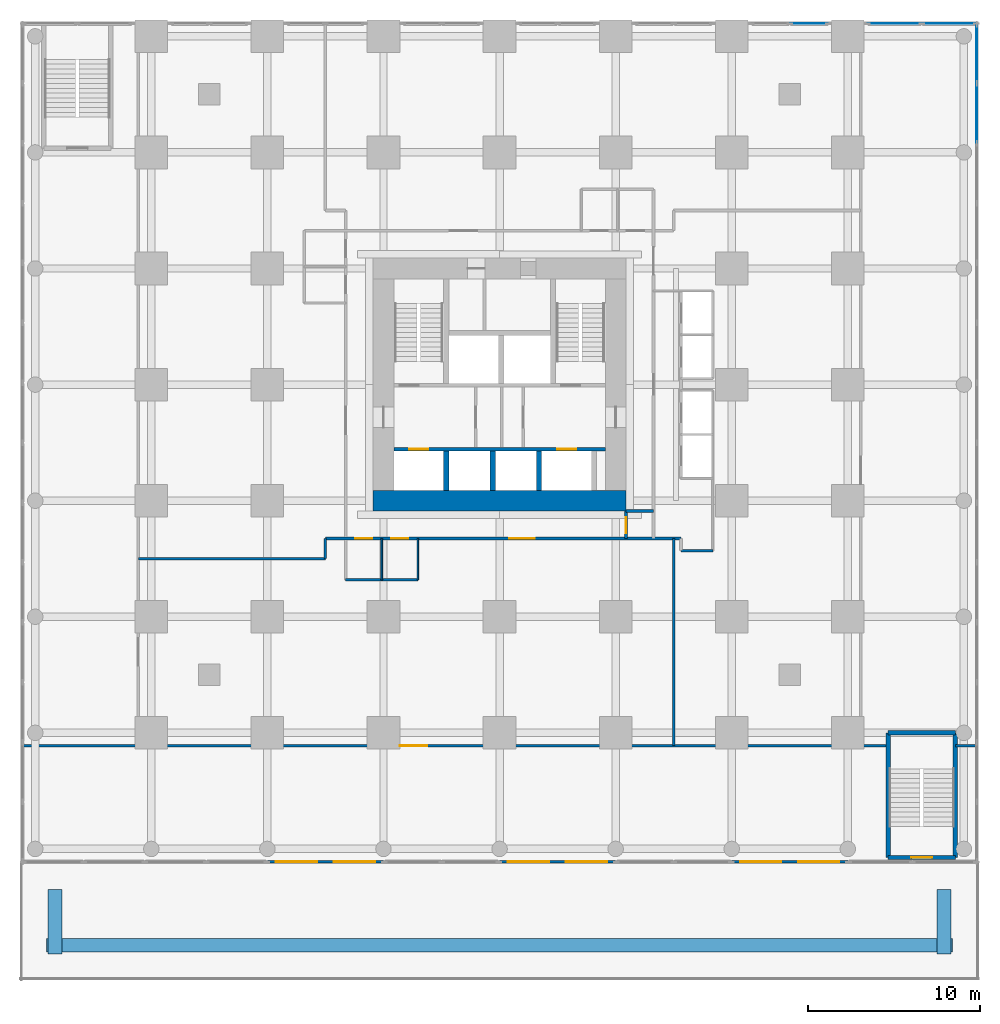
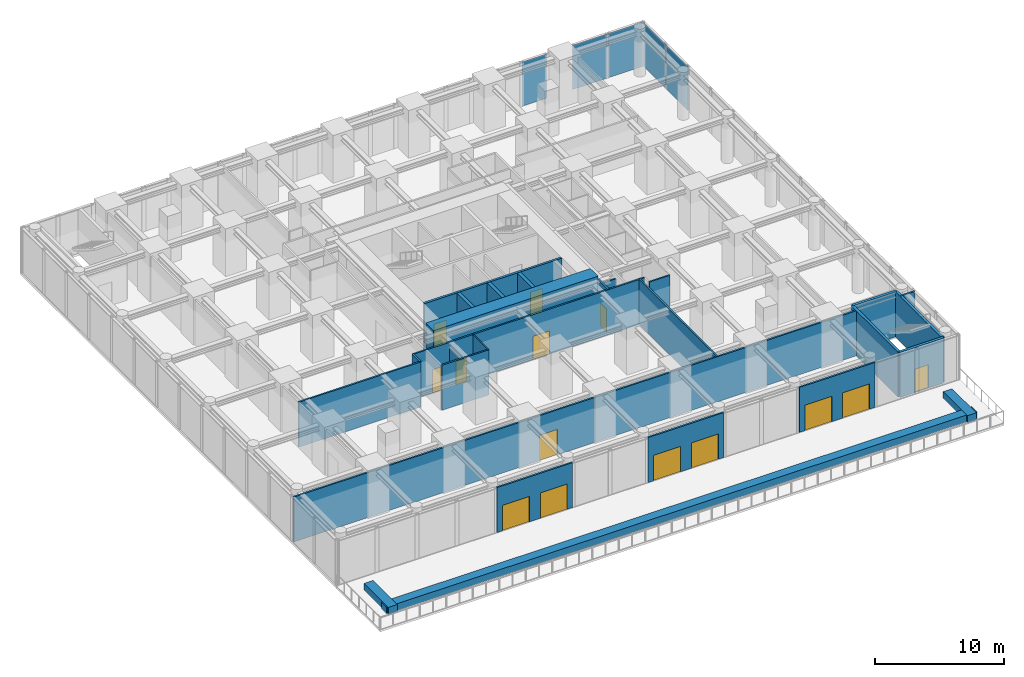
# One storey, part 7 of 10: 27 walls, 14 doors, 5 plates, 14 openings, 3 elements without a shape of their own.
"""IFC4 building model written with IfcOpenShell, lengths in metres."""

from ifc_helpers import new_model, si_unit, direction, frame, frame_2d, origin, origin_2d, place, context, subcontext, project, spatial, rectangle, extrude, material, layer, layer_set, type_object, element, fill, aggregate, save


model = new_model("IFC4")

# Units and contexts
model_context = context("Model", 3, precision=1e-05, world=origin(), true_north=direction((0.0, 1.0)))
body_context = subcontext(model_context, "Body", "Model", "MODEL_VIEW")
ifc_project = project(units=[si_unit("LENGTHUNIT", "METRE"), si_unit("AREAUNIT", "SQUARE_METRE"), si_unit("VOLUMEUNIT", "CUBIC_METRE"), si_unit("PLANEANGLEUNIT", "RADIAN"), si_unit("MASSUNIT", "GRAM", prefix="KILO")], contexts=[model_context])

# Site, building, storey
site_placement = place(None, origin())
site = spatial("IfcSite", under=ifc_project, at=site_placement, CompositionType="ELEMENT")
building_placement = place(site_placement, origin())
building = spatial("IfcBuilding", under=site, at=building_placement, Name="Nyansa Garden Tower", CompositionType="ELEMENT")
storey_placement = place(building_placement, frame((0.0, 0.0, 9.0)))
storey = spatial("IfcBuildingStorey", under=building, at=storey_placement, Name="L02", CompositionType="ELEMENT", Elevation=9.0)

# Curtain wall, plates
ifc_material_1 = material(Name="Black anodised aluminium, clear double glazing", Category="aluminium")
curtain_wall_type = type_object("IfcCurtainWallType", Name="Podium curtain wall PCW", PredefinedType="USERDEFINED", material=ifc_material_1)
curtain_wall_1_placement = place(storey_placement, origin())
curtain_wall_1 = element("IfcCurtainWall", 1, at=curtain_wall_1_placement, inside=storey, type_object=curtain_wall_type, Name="Podium curtain wall L02 E", ObjectType="STICK CURTAIN WALL", PredefinedType="USERDEFINED")
ifc_material_2 = material(Name="Clear laminated double glazing", Category="glass")
ifc_layer_1 = layer(ifc_material_2, 0.0380859375)
ifc_layer_set_1 = layer_set([ifc_layer_1], Name="Podium vision panel VP-P")
plate_type = type_object("IfcPlateType", Name="Podium vision panel VP-P", PredefinedType="CURTAIN_PANEL", material=ifc_layer_set_1)
plate_1_placement = place(storey_placement, frame((48.0, 36.02685546875, 0.0), z_axis=(0.0, 0.0, 1.0), x_axis=(0.0, 1.0, 0.0)))
plate_1 = element("IfcPlate", 2, at=plate_1_placement, type_object=plate_type, Name="PCW panel 13", PredefinedType="CURTAIN_PANEL", context=body_context, shape_type="SweptSolid", body=[
    extrude(rectangle(XDim=3.402099609375, YDim=0.0380859375, at=origin_2d()), origin(), (0.0, 0.0, 1.0), 4.169921875),
])
plate_2_placement = place(storey_placement, frame((48.0, 39.489013671875, 0.0), z_axis=(0.0, 0.0, 1.0), x_axis=(0.0, 1.0, 0.0)))
plate_2 = element("IfcPlate", 3, at=plate_2_placement, type_object=plate_type, Name="PCW panel 14", PredefinedType="CURTAIN_PANEL", context=body_context, shape_type="SweptSolid", body=[
    extrude(rectangle(XDim=3.362060546875, YDim=0.0380859375, at=origin_2d()), origin(), (0.0, 0.0, 1.0), 4.169921875),
])
aggregate(curtain_wall_1, [plate_1, plate_2])

curtain_wall_2_placement = place(storey_placement, origin())
curtain_wall_2 = element("IfcCurtainWall", 4, at=curtain_wall_2_placement, inside=storey, type_object=curtain_wall_type, Name="Podium curtain wall L02 N", ObjectType="STICK CURTAIN WALL", PredefinedType="USERDEFINED")
plate_3_placement = place(storey_placement, frame((46.376220703125, 41.25, 0.0), z_axis=(0.0, 0.0, 1.0), x_axis=(-1.0, 0.0, 0.0)))
plate_3 = element("IfcPlate", 5, at=plate_3_placement, type_object=plate_type, Name="PCW panel 1", PredefinedType="CURTAIN_PANEL", context=body_context, shape_type="SweptSolid", body=[
    extrude(rectangle(XDim=3.08740234375, YDim=0.0380859375, at=origin_2d()), origin(), (0.0, 0.0, 1.0), 4.169921875),
])
plate_4_placement = place(storey_placement, frame((43.208740234375, 41.25, 0.0), z_axis=(0.0, 0.0, 1.0), x_axis=(-1.0, 0.0, 0.0)))
plate_4 = element("IfcPlate", 6, at=plate_4_placement, type_object=plate_type, Name="PCW panel 2", PredefinedType="CURTAIN_PANEL", context=body_context, shape_type="SweptSolid", body=[
    extrude(rectangle(XDim=3.08740234375, YDim=0.0380859375, at=origin_2d()), origin(), (0.0, 0.0, 1.0), 4.169921875),
])
aggregate(curtain_wall_2, [plate_3, plate_4])

# Curtain wall, plate
curtain_wall_3_placement = place(storey_placement, origin())
curtain_wall_3 = element("IfcCurtainWall", 7, at=curtain_wall_3_placement, inside=storey, type_object=curtain_wall_type, Name="Podium curtain wall L02 N", ObjectType="STICK CURTAIN WALL", PredefinedType="USERDEFINED")
plate_5_placement = place(storey_placement, frame((38.25, 41.25, 0.0), z_axis=(0.0, 0.0, 1.0), x_axis=(-1.0, 0.0, 0.0)))
plate_5 = element("IfcPlate", 8, at=plate_5_placement, type_object=plate_type, Name="PCW panel 1", PredefinedType="CURTAIN_PANEL", context=body_context, shape_type="SweptSolid", body=[
    extrude(rectangle(XDim=2.169921875, YDim=0.0380859375, at=origin_2d()), origin(), (0.0, 0.0, 1.0), 4.169921875),
])
aggregate(curtain_wall_3, [plate_5])

# Wall, openings, doors
ifc_material_3 = material(Name="Black aluminium framed glazed screen", Category="aluminium")
ifc_layer_2 = layer(ifc_material_3, 0.14990234375)
ifc_layer_set_2 = layer_set([ifc_layer_2], Name="Balcony screen wall BW150")
wall_type_1 = type_object("IfcWallType", Name="Balcony screen wall BW150", PredefinedType="SOLIDWALL", material=ifc_layer_set_2)
wall_1_placement = place(storey_placement, frame((13.5, -7.5, 0.0), z_axis=(0.0, 0.0, 1.0), x_axis=(-1.0, 0.0, 0.0)))
wall_1 = element("IfcWall", 9, at=wall_1_placement, inside=storey, type_object=wall_type_1, Name="Glazed screen wall L02 S", PredefinedType="SOLIDWALL", context=body_context, shape_type="SweptSolid", body=[
    extrude(rectangle(XDim=6.75, YDim=0.14990234375, at=frame_2d((3.375, 0.0))), origin(), (0.0, 0.0, 1.0), 4.25),
])
opening_1_placement = place(wall_1_placement, frame((0.487548828125, 0.0, 0.0)))
opening_1 = element("IfcOpeningElement", 10, at=opening_1_placement, cuts=wall_1, Name="Opening D21", PredefinedType="OPENING", context=body_context, shape_type="SweptSolid", body=[
    extrude(rectangle(XDim=2.39990234375, YDim=2.39990234375, at=frame_2d((1.199951171875, 1.199951171875))), frame((0.0, 0.0849609375, 0.0), z_axis=(0.0, -1.0, 0.0), x_axis=(1.0, 0.0, 0.0)), (0.0, 0.0, 1.0), 0.169921875),
])
opening_2_placement = place(wall_1_placement, frame((3.862548828125, 0.0, 0.0)))
opening_2 = element("IfcOpeningElement", 11, at=opening_2_placement, cuts=wall_1, Name="Opening D21", PredefinedType="OPENING", context=body_context, shape_type="SweptSolid", body=[
    extrude(rectangle(XDim=2.39990234375, YDim=2.39990234375, at=frame_2d((1.199951171875, 1.199951171875))), frame((0.0, 0.0849609375, 0.0), z_axis=(0.0, -1.0, 0.0), x_axis=(1.0, 0.0, 0.0)), (0.0, 0.0, 1.0), 0.169921875),
])
ifc_material_4 = material(Name="Black aluminium framed glazed sliding door", Category="aluminium")
door_type_1 = type_object("IfcDoorType", Name="Terrace sliding door D21 2400x2400", OperationType="SLIDING_TO_LEFT", PredefinedType="DOOR", material=ifc_material_4)
door_1_placement = place(opening_1_placement, origin())
door_1 = element("IfcDoor", 12, at=door_1_placement, inside=storey, type_object=door_type_1, Name="Terrace door L02", OperationType="SLIDING_TO_LEFT", OverallHeight=2.39990234375, OverallWidth=2.39990234375, PredefinedType="DOOR", context=body_context, shape_type="SweptSolid", body=[
    extrude(rectangle(XDim=2.39990234375, YDim=2.39990234375, at=frame_2d((1.199951171875, 1.199951171875))), frame((0.0, 0.02490234375, 0.0), z_axis=(0.0, -1.0, 0.0), x_axis=(1.0, 0.0, 0.0)), (0.0, 0.0, 1.0), 0.050048828125),
])
fill(opening_1, door_1)
door_2_placement = place(opening_2_placement, origin())
door_2 = element("IfcDoor", 13, at=door_2_placement, inside=storey, type_object=door_type_1, Name="Terrace door L02", OperationType="SLIDING_TO_LEFT", OverallHeight=2.39990234375, OverallWidth=2.39990234375, PredefinedType="DOOR", context=body_context, shape_type="SweptSolid", body=[
    extrude(rectangle(XDim=2.39990234375, YDim=2.39990234375, at=frame_2d((1.199951171875, 1.199951171875))), frame((0.0, 0.02490234375, 0.0), z_axis=(0.0, -1.0, 0.0), x_axis=(1.0, 0.0, 0.0)), (0.0, 0.0, 1.0), 0.050048828125),
])
fill(opening_2, door_2)

wall_2_placement = place(storey_placement, frame((27.0, -7.5, 0.0), z_axis=(0.0, 0.0, 1.0), x_axis=(-1.0, 0.0, 0.0)))
wall_2 = element("IfcWall", 14, at=wall_2_placement, inside=storey, type_object=wall_type_1, Name="Glazed screen wall L02 S", PredefinedType="SOLIDWALL", context=body_context, shape_type="SweptSolid", body=[
    extrude(rectangle(XDim=6.75, YDim=0.14990234375, at=frame_2d((3.375, 0.0))), origin(), (0.0, 0.0, 1.0), 4.25),
])
opening_3_placement = place(wall_2_placement, frame((0.487548828125, 0.0, 0.0)))
opening_3 = element("IfcOpeningElement", 15, at=opening_3_placement, cuts=wall_2, Name="Opening D21", PredefinedType="OPENING", context=body_context, shape_type="SweptSolid", body=[
    extrude(rectangle(XDim=2.39990234375, YDim=2.39990234375, at=frame_2d((1.199951171875, 1.199951171875))), frame((0.0, 0.0849609375, 0.0), z_axis=(0.0, -1.0, 0.0), x_axis=(1.0, 0.0, 0.0)), (0.0, 0.0, 1.0), 0.169921875),
])
opening_4_placement = place(wall_2_placement, frame((3.862548828125, 0.0, 0.0)))
opening_4 = element("IfcOpeningElement", 16, at=opening_4_placement, cuts=wall_2, Name="Opening D21", PredefinedType="OPENING", context=body_context, shape_type="SweptSolid", body=[
    extrude(rectangle(XDim=2.39990234375, YDim=2.39990234375, at=frame_2d((1.199951171875, 1.199951171875))), frame((0.0, 0.0849609375, 0.0), z_axis=(0.0, -1.0, 0.0), x_axis=(1.0, 0.0, 0.0)), (0.0, 0.0, 1.0), 0.169921875),
])
door_3_placement = place(opening_3_placement, origin())
door_3 = element("IfcDoor", 17, at=door_3_placement, inside=storey, type_object=door_type_1, Name="Terrace door L02", OperationType="SLIDING_TO_LEFT", OverallHeight=2.39990234375, OverallWidth=2.39990234375, PredefinedType="DOOR", context=body_context, shape_type="SweptSolid", body=[
    extrude(rectangle(XDim=2.39990234375, YDim=2.39990234375, at=frame_2d((1.199951171875, 1.199951171875))), frame((0.0, 0.02490234375, 0.0), z_axis=(0.0, -1.0, 0.0), x_axis=(1.0, 0.0, 0.0)), (0.0, 0.0, 1.0), 0.050048828125),
])
fill(opening_3, door_3)
door_4_placement = place(opening_4_placement, origin())
door_4 = element("IfcDoor", 18, at=door_4_placement, inside=storey, type_object=door_type_1, Name="Terrace door L02", OperationType="SLIDING_TO_LEFT", OverallHeight=2.39990234375, OverallWidth=2.39990234375, PredefinedType="DOOR", context=body_context, shape_type="SweptSolid", body=[
    extrude(rectangle(XDim=2.39990234375, YDim=2.39990234375, at=frame_2d((1.199951171875, 1.199951171875))), frame((0.0, 0.02490234375, 0.0), z_axis=(0.0, -1.0, 0.0), x_axis=(1.0, 0.0, 0.0)), (0.0, 0.0, 1.0), 0.050048828125),
])
fill(opening_4, door_4)

wall_3_placement = place(storey_placement, frame((40.5, -7.5, 0.0), z_axis=(0.0, 0.0, 1.0), x_axis=(-1.0, 0.0, 0.0)))
wall_3 = element("IfcWall", 19, at=wall_3_placement, inside=storey, type_object=wall_type_1, Name="Glazed screen wall L02 S", PredefinedType="SOLIDWALL", context=body_context, shape_type="SweptSolid", body=[
    extrude(rectangle(XDim=6.75, YDim=0.14990234375, at=frame_2d((3.375, 0.0))), origin(), (0.0, 0.0, 1.0), 4.25),
])
opening_5_placement = place(wall_3_placement, frame((0.487548828125, 0.0, 0.0)))
opening_5 = element("IfcOpeningElement", 20, at=opening_5_placement, cuts=wall_3, Name="Opening D21", PredefinedType="OPENING", context=body_context, shape_type="SweptSolid", body=[
    extrude(rectangle(XDim=2.39990234375, YDim=2.39990234375, at=frame_2d((1.199951171875, 1.199951171875))), frame((0.0, 0.0849609375, 0.0), z_axis=(0.0, -1.0, 0.0), x_axis=(1.0, 0.0, 0.0)), (0.0, 0.0, 1.0), 0.169921875),
])
opening_6_placement = place(wall_3_placement, frame((3.862548828125, 0.0, 0.0)))
opening_6 = element("IfcOpeningElement", 21, at=opening_6_placement, cuts=wall_3, Name="Opening D21", PredefinedType="OPENING", context=body_context, shape_type="SweptSolid", body=[
    extrude(rectangle(XDim=2.39990234375, YDim=2.39990234375, at=frame_2d((1.199951171875, 1.199951171875))), frame((0.0, 0.0849609375, 0.0), z_axis=(0.0, -1.0, 0.0), x_axis=(1.0, 0.0, 0.0)), (0.0, 0.0, 1.0), 0.169921875),
])
door_5_placement = place(opening_5_placement, origin())
door_5 = element("IfcDoor", 22, at=door_5_placement, inside=storey, type_object=door_type_1, Name="Terrace door L02", OperationType="SLIDING_TO_LEFT", OverallHeight=2.39990234375, OverallWidth=2.39990234375, PredefinedType="DOOR", context=body_context, shape_type="SweptSolid", body=[
    extrude(rectangle(XDim=2.39990234375, YDim=2.39990234375, at=frame_2d((1.199951171875, 1.199951171875))), frame((0.0, 0.02490234375, 0.0), z_axis=(0.0, -1.0, 0.0), x_axis=(1.0, 0.0, 0.0)), (0.0, 0.0, 1.0), 0.050048828125),
])
fill(opening_5, door_5)
door_6_placement = place(opening_6_placement, origin())
door_6 = element("IfcDoor", 23, at=door_6_placement, inside=storey, type_object=door_type_1, Name="Terrace door L02", OperationType="SLIDING_TO_LEFT", OverallHeight=2.39990234375, OverallWidth=2.39990234375, PredefinedType="DOOR", context=body_context, shape_type="SweptSolid", body=[
    extrude(rectangle(XDim=2.39990234375, YDim=2.39990234375, at=frame_2d((1.199951171875, 1.199951171875))), frame((0.0, 0.02490234375, 0.0), z_axis=(0.0, -1.0, 0.0), x_axis=(1.0, 0.0, 0.0)), (0.0, 0.0, 1.0), 0.050048828125),
])
fill(opening_6, door_6)

ifc_material_5 = material(Name="Concrete C70/85", Category="concrete")
ifc_layer_3 = layer(ifc_material_5, 0.199951171875)
ifc_layer_set_3 = layer_set([ifc_layer_3], Name="Core inner wall CI200")
wall_type_2 = type_object("IfcWallType", Name="Core inner wall CI200", PredefinedType="SHEAR", material=ifc_layer_set_3)
wall_4_placement = place(storey_placement, frame((14.10009765625, 16.5, 0.0), z_axis=(0.0, 0.0, 1.0), x_axis=(1.0, 0.0, 0.0)))
wall_4 = element("IfcWall", 24, at=wall_4_placement, inside=storey, type_object=wall_type_2, Name="Core inner wall L02", PredefinedType="SHEAR", context=body_context, shape_type="SweptSolid", body=[
    extrude(rectangle(XDim=12.2998046875, YDim=0.199951171875, at=frame_2d((6.14990234375, 0.0))), origin(), (0.0, 0.0, 1.0), 4.5),
])
opening_7_placement = place(wall_4_placement, frame((0.89990234375, 0.0, 0.0)))
opening_7 = element("IfcOpeningElement", 25, at=opening_7_placement, cuts=wall_4, Name="Opening LD-F", PredefinedType="OPENING", context=body_context, shape_type="SweptSolid", body=[
    extrude(rectangle(XDim=1.10009765625, YDim=2.199951171875, at=frame_2d((0.550048828125, 1.10009765625))), frame((0.0, 0.10986328125, 0.0), z_axis=(0.0, -1.0, 0.0), x_axis=(1.0, 0.0, 0.0)), (0.0, 0.0, 1.0), 0.219970703125),
])
opening_8_placement = place(wall_4_placement, frame((9.5, 0.0, 0.0)))
opening_8 = element("IfcOpeningElement", 26, at=opening_8_placement, cuts=wall_4, Name="Opening LD-F", PredefinedType="OPENING", context=body_context, shape_type="SweptSolid", body=[
    extrude(rectangle(XDim=1.10009765625, YDim=2.199951171875, at=frame_2d((0.550048828125, 1.10009765625))), frame((0.0, 0.10986328125, 0.0), z_axis=(0.0, -1.0, 0.0), x_axis=(1.0, 0.0, 0.0)), (0.0, 0.0, 1.0), 0.219970703125),
])
ifc_material_6 = material(Name="Stainless steel centre-opening landing door of the firefighting lift, EN 81-72, E 120", Category="steel")
door_type_2 = type_object("IfcDoorType", Name="Lift landing door LD-F 1100x2200", OperationType="DOUBLE_DOOR_SLIDING", PredefinedType="DOOR", material=ifc_material_6)
door_7_placement = place(opening_7_placement, origin())
door_7 = element("IfcDoor", 27, at=door_7_placement, inside=storey, type_object=door_type_2, Name="Landing door FF1", OperationType="DOUBLE_DOOR_SLIDING", OverallHeight=2.199951171875, OverallWidth=1.10009765625, PredefinedType="DOOR", context=body_context, shape_type="SweptSolid", body=[
    extrude(rectangle(XDim=1.10009765625, YDim=2.199951171875, at=frame_2d((0.550048828125, 1.10009765625))), frame((0.0, 0.02490234375, 0.0), z_axis=(0.0, -1.0, 0.0), x_axis=(1.0, 0.0, 0.0)), (0.0, 0.0, 1.0), 0.050048828125),
])
fill(opening_7, door_7)
door_8_placement = place(opening_8_placement, origin())
door_8 = element("IfcDoor", 28, at=door_8_placement, inside=storey, type_object=door_type_2, Name="Landing door FF2", OperationType="DOUBLE_DOOR_SLIDING", OverallHeight=2.199951171875, OverallWidth=1.10009765625, PredefinedType="DOOR", context=body_context, shape_type="SweptSolid", body=[
    extrude(rectangle(XDim=1.10009765625, YDim=2.199951171875, at=frame_2d((0.550048828125, 1.10009765625))), frame((0.0, 0.02490234375, 0.0), z_axis=(0.0, -1.0, 0.0), x_axis=(1.0, 0.0, 0.0)), (0.0, 0.0, 1.0), 0.050048828125),
])
fill(opening_8, door_8)

# Walls
ifc_material_7 = material(Name="Concrete C70/85", Category="concrete")
ifc_layer_4 = layer(ifc_material_7, 0.300048828125)
ifc_layer_set_4 = layer_set([ifc_layer_4], Name="Core inner wall CI300")
wall_type_3 = type_object("IfcWallType", Name="Core inner wall CI300", PredefinedType="SHEAR", material=ifc_layer_set_4)
for number, where, z_axis, x_axis, name in (
    (29, (17.14990234375, 14.10009765625, 0.0), (0.0, 0.0, 1.0), (0.0, 1.0, 0.0), "Core inner wall L02"),
    (30, (19.85009765625, 14.10009765625, 0.0), (0.0, 0.0, 1.0), (0.0, 1.0, 0.0), "Core inner wall L02"),
    (31, (22.550048828125, 14.10009765625, 0.0), (0.0, 0.0, 1.0), (0.0, 1.0, 0.0), "Core inner wall L02"),
):
    element("IfcWall", number, at=place(storey_placement, frame(where, z_axis=z_axis, x_axis=x_axis)), inside=storey, type_object=wall_type_3, Name=name, PredefinedType="SHEAR", context=body_context, shape_type="SweptSolid", body=[
        extrude(rectangle(XDim=2.2998046875, YDim=0.300048828125, at=frame_2d((1.14990234375, 0.0))), origin(), (0.0, 0.0, 1.0), 4.5),
    ])
ifc_material_8 = material(Name="Concrete C80/95", Category="concrete")
ifc_layer_5 = layer(ifc_material_8, 1.199951171875)
ifc_layer_set_5 = layer_set([ifc_layer_5], Name="Core wall CW1200")
wall_type_4 = type_object("IfcWallType", Name="Core wall CW1200", PredefinedType="SHEAR", material=ifc_layer_set_5)
wall_5_placement = place(storey_placement, frame((12.89990234375, 13.5, 0.0), z_axis=(0.0, 0.0, 1.0), x_axis=(1.0, 0.0, 0.0)))
element("IfcWall", 32, at=wall_5_placement, inside=storey, type_object=wall_type_4, Name="Core wall S L02", PredefinedType="SHEAR", context=body_context, shape_type="SweptSolid", body=[
    extrude(rectangle(XDim=14.7001953125, YDim=1.199951171875, at=frame_2d((7.35009765625, 0.0))), origin(), (0.0, 0.0, 1.0), 4.5),
])

# Wall, opening, door
ifc_material_9 = material(Name="Blockwork, plastered both sides", Category="masonry")
ifc_layer_6 = layer(ifc_material_9, 0.14990234375)
ifc_layer_set_6 = layer_set([ifc_layer_6], Name="Partition PW150")
wall_type_5 = type_object("IfcWallType", Name="Partition PW150", PredefinedType="PARTITIONING", material=ifc_layer_set_6)
wall_6_placement = place(storey_placement, frame((-7.48388671875, -0.75, 0.0), z_axis=(0.0, 0.0, 1.0), x_axis=(1.0, 0.0, 0.0)))
wall_6 = element("IfcWall", 33, at=wall_6_placement, inside=storey, type_object=wall_type_5, Name="Partition", PredefinedType="PARTITIONING", context=body_context, shape_type="SweptSolid", body=[
    extrude(rectangle(XDim=50.333984375, YDim=0.14990234375, at=frame_2d((25.1669921875, 0.0))), origin(), (0.0, 0.0, 1.0), 4.25),
])
opening_9_placement = place(wall_6_placement, frame((21.93408203125, 0.0, 0.0)))
opening_9 = element("IfcOpeningElement", 34, at=opening_9_placement, cuts=wall_6, Name="Opening D12", PredefinedType="OPENING", context=body_context, shape_type="SweptSolid", body=[
    extrude(rectangle(XDim=1.60009765625, YDim=2.39990234375, at=frame_2d((0.800048828125, 1.199951171875))), frame((0.0, 0.0849609375, 0.0), z_axis=(0.0, -1.0, 0.0), x_axis=(1.0, 0.0, 0.0)), (0.0, 0.0, 1.0), 0.169921875),
])
ifc_material_10 = material(Name="Black aluminium glazed door, 60 minute fire resisting", Category="aluminium")
door_type_3 = type_object("IfcDoorType", Name="Amenity door D12 1600x2400", OperationType="DOUBLE_DOOR_SINGLE_SWING", PredefinedType="DOOR", material=ifc_material_10)
door_9_placement = place(opening_9_placement, origin())
door_9 = element("IfcDoor", 35, at=door_9_placement, inside=storey, type_object=door_type_3, Name="Door L02-030", OperationType="DOUBLE_DOOR_SINGLE_SWING", OverallHeight=2.39990234375, OverallWidth=1.60009765625, PredefinedType="DOOR", context=body_context, shape_type="SweptSolid", body=[
    extrude(rectangle(XDim=1.60009765625, YDim=2.39990234375, at=frame_2d((0.800048828125, 1.199951171875))), frame((0.0, 0.02490234375, 0.0), z_axis=(0.0, -1.0, 0.0), x_axis=(1.0, 0.0, 0.0)), (0.0, 0.0, 1.0), 0.050048828125),
])
fill(opening_9, door_9)

# Walls
wall_7_placement = place(storey_placement, frame((-0.75, 10.125, 0.0), z_axis=(0.0, 0.0, 1.0), x_axis=(1.0, 0.0, 0.0)))
element("IfcWall", 36, at=wall_7_placement, inside=storey, type_object=wall_type_5, Name="Partition", PredefinedType="PARTITIONING", context=body_context, shape_type="SweptSolid", body=[
    extrude(rectangle(XDim=10.875, YDim=0.14990234375, at=frame_2d((5.4375, 0.0))), origin(), (0.0, 0.0, 1.0), 4.25),
])
wall_8_placement = place(storey_placement, frame((10.125, 10.125, 0.0), z_axis=(0.0, 0.0, 1.0), x_axis=(0.0, 1.0, 0.0)))
element("IfcWall", 37, at=wall_8_placement, inside=storey, type_object=wall_type_5, Name="Partition", PredefinedType="PARTITIONING", context=body_context, shape_type="SweptSolid", body=[
    extrude(rectangle(XDim=1.175048828125, YDim=0.14990234375, at=frame_2d((0.58740234375, 0.0))), origin(), (0.0, 0.0, 1.0), 4.25),
])

# Wall, openings, doors
wall_9_placement = place(storey_placement, frame((10.125, 11.300048828125, 0.0), z_axis=(0.0, 0.0, 1.0), x_axis=(1.0, 0.0, 0.0)))
wall_9 = element("IfcWall", 38, at=wall_9_placement, inside=storey, type_object=wall_type_5, Name="Partition", PredefinedType="PARTITIONING", context=body_context, shape_type="SweptSolid", body=[
    extrude(rectangle(XDim=20.675048828125, YDim=0.14990234375, at=frame_2d((10.33740234375, 0.0))), origin(), (0.0, 0.0, 1.0), 4.25),
])
opening_10_placement = place(wall_9_placement, frame((1.72509765625, 0.0, 0.0)))
opening_10 = element("IfcOpeningElement", 39, at=opening_10_placement, cuts=wall_9, Name="Opening D08", PredefinedType="OPENING", context=body_context, shape_type="SweptSolid", body=[
    extrude(rectangle(XDim=1.0, YDim=2.199951171875, at=frame_2d((0.5, 1.10009765625))), frame((0.0, 0.0849609375, 0.0), z_axis=(0.0, -1.0, 0.0), x_axis=(1.0, 0.0, 0.0)), (0.0, 0.0, 1.0), 0.169921875),
])
opening_11_placement = place(wall_9_placement, frame((3.824951171875, 0.0, 0.0)))
opening_11 = element("IfcOpeningElement", 40, at=opening_11_placement, cuts=wall_9, Name="Opening D08", PredefinedType="OPENING", context=body_context, shape_type="SweptSolid", body=[
    extrude(rectangle(XDim=1.0, YDim=2.199951171875, at=frame_2d((0.5, 1.10009765625))), frame((0.0, 0.0849609375, 0.0), z_axis=(0.0, -1.0, 0.0), x_axis=(1.0, 0.0, 0.0)), (0.0, 0.0, 1.0), 0.169921875),
])
opening_12_placement = place(wall_9_placement, frame((10.675048828125, 0.0, 0.0)))
opening_12 = element("IfcOpeningElement", 41, at=opening_12_placement, cuts=wall_9, Name="Opening D10", PredefinedType="OPENING", context=body_context, shape_type="SweptSolid", body=[
    extrude(rectangle(XDim=1.5, YDim=2.199951171875, at=frame_2d((0.75, 1.10009765625))), frame((0.0, 0.0849609375, 0.0), z_axis=(0.0, -1.0, 0.0), x_axis=(1.0, 0.0, 0.0)), (0.0, 0.0, 1.0), 0.169921875),
])
ifc_material_11 = material(Name="Timber flush door, outward opening", Category="wood")
door_type_4 = type_object("IfcDoorType", Name="Accessible WC door D08 1000x2200", OperationType="SINGLE_SWING_LEFT", PredefinedType="DOOR", material=ifc_material_11)
door_10_placement = place(opening_10_placement, origin())
door_10 = element("IfcDoor", 42, at=door_10_placement, inside=storey, type_object=door_type_4, Name="Door L02-018", OperationType="SINGLE_SWING_LEFT", OverallHeight=2.199951171875, OverallWidth=1.0, PredefinedType="DOOR", context=body_context, shape_type="SweptSolid", body=[
    extrude(rectangle(XDim=1.0, YDim=2.199951171875, at=frame_2d((0.5, 1.10009765625))), frame((0.0, 0.02490234375, 0.0), z_axis=(0.0, -1.0, 0.0), x_axis=(1.0, 0.0, 0.0)), (0.0, 0.0, 1.0), 0.050048828125),
])
fill(opening_10, door_10)
door_11_placement = place(opening_11_placement, origin())
door_11 = element("IfcDoor", 43, at=door_11_placement, inside=storey, type_object=door_type_4, Name="Door L02-019", OperationType="SINGLE_SWING_LEFT", OverallHeight=2.199951171875, OverallWidth=1.0, PredefinedType="DOOR", context=body_context, shape_type="SweptSolid", body=[
    extrude(rectangle(XDim=1.0, YDim=2.199951171875, at=frame_2d((0.5, 1.10009765625))), frame((0.0, 0.02490234375, 0.0), z_axis=(0.0, -1.0, 0.0), x_axis=(1.0, 0.0, 0.0)), (0.0, 0.0, 1.0), 0.050048828125),
])
fill(opening_11, door_11)
ifc_material_12 = material(Name="Timber glazed door, 60 minute fire resisting", Category="wood")
door_type_5 = type_object("IfcDoorType", Name="Lounge door D10 1500x2200", OperationType="DOUBLE_DOOR_SINGLE_SWING", PredefinedType="DOOR", material=ifc_material_12)
door_12_placement = place(opening_12_placement, origin())
door_12 = element("IfcDoor", 44, at=door_12_placement, inside=storey, type_object=door_type_5, Name="Door L02-020", OperationType="DOUBLE_DOOR_SINGLE_SWING", OverallHeight=2.199951171875, OverallWidth=1.5, PredefinedType="DOOR", context=body_context, shape_type="SweptSolid", body=[
    extrude(rectangle(XDim=1.5, YDim=2.199951171875, at=frame_2d((0.75, 1.10009765625))), frame((0.0, 0.02490234375, 0.0), z_axis=(0.0, -1.0, 0.0), x_axis=(1.0, 0.0, 0.0)), (0.0, 0.0, 1.0), 0.050048828125),
])
fill(opening_12, door_12)

# Wall
wall_10_placement = place(storey_placement, frame((11.300048828125, 8.89990234375, 0.0), z_axis=(0.0, 0.0, 1.0), x_axis=(1.0, 0.0, 0.0)))
element("IfcWall", 45, at=wall_10_placement, inside=storey, type_object=wall_type_5, Name="Partition", PredefinedType="PARTITIONING", context=body_context, shape_type="SweptSolid", body=[
    extrude(rectangle(XDim=4.199951171875, YDim=0.14990234375, at=frame_2d((2.10009765625, 0.0))), origin(), (0.0, 0.0, 1.0), 4.25),
])

# Wall, opening, door
wall_11_placement = place(storey_placement, frame((27.60009765625, 11.300048828125, 0.0), z_axis=(0.0, 0.0, 1.0), x_axis=(0.0, 1.0, 0.0)))
wall_11 = element("IfcWall", 46, at=wall_11_placement, inside=storey, type_object=wall_type_5, Name="Partition", PredefinedType="PARTITIONING", context=body_context, shape_type="SweptSolid", body=[
    extrude(rectangle(XDim=1.599853515625, YDim=0.14990234375, at=frame_2d((0.7998046875, 0.0))), origin(), (0.0, 0.0, 1.0), 4.25),
])
opening_13_placement = place(wall_11_placement, frame((0.300048828125, 0.0, 0.0)))
opening_13 = element("IfcOpeningElement", 47, at=opening_13_placement, cuts=wall_11, Name="Opening D01", PredefinedType="OPENING", context=body_context, shape_type="SweptSolid", body=[
    extrude(rectangle(XDim=0.949951171875, YDim=2.199951171875, at=frame_2d((0.47509765625, 1.10009765625))), frame((0.0, 0.0849609375, 0.0), z_axis=(0.0, -1.0, 0.0), x_axis=(1.0, 0.0, 0.0)), (0.0, 0.0, 1.0), 0.169921875),
])
ifc_material_13 = material(Name="Timber flush door, 30 minute fire resisting", Category="wood")
door_type_6 = type_object("IfcDoorType", Name="Bedroom door D01 950x2200", OperationType="SINGLE_SWING_LEFT", PredefinedType="DOOR", material=ifc_material_13)
door_13_placement = place(opening_13_placement, origin())
door_13 = element("IfcDoor", 48, at=door_13_placement, inside=storey, type_object=door_type_6, Name="Door L02-017", OperationType="SINGLE_SWING_LEFT", OverallHeight=2.199951171875, OverallWidth=0.949951171875, PredefinedType="DOOR", context=body_context, shape_type="SweptSolid", body=[
    extrude(rectangle(XDim=0.949951171875, YDim=2.199951171875, at=frame_2d((0.47509765625, 1.10009765625))), frame((0.0, 0.02490234375, 0.0), z_axis=(0.0, -1.0, 0.0), x_axis=(1.0, 0.0, 0.0)), (0.0, 0.0, 1.0), 0.050048828125),
])
fill(opening_13, door_13)

# Walls
wall_12_placement = place(storey_placement, frame((27.60009765625, 12.89990234375, 0.0), z_axis=(0.0, 0.0, 1.0), x_axis=(1.0, 0.0, 0.0)))
element("IfcWall", 49, at=wall_12_placement, inside=storey, type_object=wall_type_5, Name="Partition", PredefinedType="PARTITIONING", context=body_context, shape_type="SweptSolid", body=[
    extrude(rectangle(XDim=1.599853515625, YDim=0.14990234375, at=frame_2d((0.7998046875, 0.0))), origin(), (0.0, 0.0, 1.0), 3.751953125),
])
wall_13_placement = place(storey_placement, frame((30.375, -0.75, 0.0), z_axis=(0.0, 0.0, 1.0), x_axis=(0.0, 1.0, 0.0)))
element("IfcWall", 50, at=wall_13_placement, inside=storey, type_object=wall_type_5, Name="Partition", PredefinedType="PARTITIONING", context=body_context, shape_type="SweptSolid", body=[
    extrude(rectangle(XDim=12.050048828125, YDim=0.14990234375, at=frame_2d((6.02490234375, 0.0))), origin(), (0.0, 0.0, 1.0), 4.25),
])
wall_14_placement = place(storey_placement, frame((30.800048828125, 10.60009765625, 0.0), z_axis=(0.0, 0.0, 1.0), x_axis=(1.0, 0.0, 0.0)))
element("IfcWall", 51, at=wall_14_placement, inside=storey, type_object=wall_type_5, Name="Partition", PredefinedType="PARTITIONING", context=body_context, shape_type="SweptSolid", body=[
    extrude(rectangle(XDim=1.849853515625, YDim=0.14990234375, at=frame_2d((0.9248046875, 0.0))), origin(), (0.0, 0.0, 1.0), 4.25),
])
wall_15_placement = place(storey_placement, frame((46.75, -0.75, 0.0), z_axis=(0.0, 0.0, 1.0), x_axis=(1.0, 0.0, 0.0)))
element("IfcWall", 52, at=wall_15_placement, inside=storey, type_object=wall_type_5, Name="Partition", PredefinedType="PARTITIONING", context=body_context, shape_type="SweptSolid", body=[
    extrude(rectangle(XDim=1.23388671875, YDim=0.14990234375, at=frame_2d((0.616943359375, 0.0))), origin(), (0.0, 0.0, 1.0), 4.25),
])
ifc_material_14 = material(Name="Reinforced blockwork, 120 minute fire resisting", Category="masonry")
ifc_layer_7 = layer(ifc_material_14, 0.25)
ifc_layer_set_7 = layer_set([ifc_layer_7], Name="Stair enclosure wall SW250")
wall_type_6 = type_object("IfcWallType", Name="Stair enclosure wall SW250", PredefinedType="SOLIDWALL", material=ifc_layer_set_7)
wall_16_placement = place(storey_placement, frame((42.85009765625, -7.25, 0.0), z_axis=(0.0, 0.0, 1.0), x_axis=(0.0, 1.0, 0.0)))
element("IfcWall", 53, at=wall_16_placement, inside=storey, type_object=wall_type_6, Name="Stair enclosure wall", PredefinedType="SOLIDWALL", context=body_context, shape_type="SweptSolid", body=[
    extrude(rectangle(XDim=7.25, YDim=0.25, at=frame_2d((3.625, 0.0))), origin(), (0.0, 0.0, 1.0), 4.25),
])

# Wall, opening, door
wall_17_placement = place(storey_placement, frame((42.85009765625, -7.25, 0.0), z_axis=(0.0, 0.0, 1.0), x_axis=(1.0, 0.0, 0.0)))
wall_17 = element("IfcWall", 54, at=wall_17_placement, inside=storey, type_object=wall_type_6, Name="Stair enclosure wall", PredefinedType="SOLIDWALL", context=body_context, shape_type="SweptSolid", body=[
    extrude(rectangle(XDim=3.89990234375, YDim=0.25, at=frame_2d((1.949951171875, 0.0))), origin(), (0.0, 0.0, 1.0), 4.25),
])
opening_14_placement = place(wall_17_placement, frame((1.35009765625, 0.0, 0.0)))
opening_14 = element("IfcOpeningElement", 55, at=opening_14_placement, cuts=wall_17, Name="Opening D13", PredefinedType="OPENING", context=body_context, shape_type="SweptSolid", body=[
    extrude(rectangle(XDim=1.199951171875, YDim=2.199951171875, at=frame_2d((0.60009765625, 1.10009765625))), frame((0.0, 0.135009765625, 0.0), z_axis=(0.0, -1.0, 0.0), x_axis=(1.0, 0.0, 0.0)), (0.0, 0.0, 1.0), 0.27001953125),
])
ifc_material_15 = material(Name="Steel door, 60 minute fire resisting, panic bar", Category="steel")
door_type_7 = type_object("IfcDoorType", Name="Exit stair door D13 1200x2200", OperationType="SINGLE_SWING_LEFT", PredefinedType="DOOR", material=ifc_material_15)
door_14_placement = place(opening_14_placement, origin())
door_14 = element("IfcDoor", 56, at=door_14_placement, inside=storey, type_object=door_type_7, Name="Exit door to stair S4", OperationType="SINGLE_SWING_LEFT", OverallHeight=2.199951171875, OverallWidth=1.199951171875, PredefinedType="DOOR", context=body_context, shape_type="SweptSolid", body=[
    extrude(rectangle(XDim=1.199951171875, YDim=2.199951171875, at=frame_2d((0.60009765625, 1.10009765625))), frame((0.0, 0.02490234375, 0.0), z_axis=(0.0, -1.0, 0.0), x_axis=(1.0, 0.0, 0.0)), (0.0, 0.0, 1.0), 0.050048828125),
])
fill(opening_14, door_14)

# Walls
wall_18_placement = place(storey_placement, frame((42.85009765625, 0.0, 0.0), z_axis=(0.0, 0.0, 1.0), x_axis=(1.0, 0.0, 0.0)))
element("IfcWall", 57, at=wall_18_placement, inside=storey, type_object=wall_type_6, Name="Stair enclosure wall", PredefinedType="SOLIDWALL", context=body_context, shape_type="SweptSolid", body=[
    extrude(rectangle(XDim=3.89990234375, YDim=0.25, at=frame_2d((1.949951171875, 0.0))), origin(), (0.0, 0.0, 1.0), 4.25),
])
wall_19_placement = place(storey_placement, frame((46.75, -7.25, 0.0), z_axis=(0.0, 0.0, 1.0), x_axis=(0.0, 1.0, 0.0)))
element("IfcWall", 58, at=wall_19_placement, inside=storey, type_object=wall_type_6, Name="Stair enclosure wall", PredefinedType="SOLIDWALL", context=body_context, shape_type="SweptSolid", body=[
    extrude(rectangle(XDim=7.25, YDim=0.25, at=frame_2d((3.625, 0.0))), origin(), (0.0, 0.0, 1.0), 4.25),
])
ifc_material_16 = material(Name="Concrete C40/50 planter, waterproofed", Category="concrete")
ifc_layer_8 = layer(ifc_material_16, 0.800048828125)
ifc_layer_set_8 = layer_set([ifc_layer_8], Name="Terrace planter TP2")
wall_type_7 = type_object("IfcWallType", Name="Terrace planter TP2", PredefinedType="USERDEFINED", material=ifc_layer_set_8)
wall_20_placement = place(storey_placement, frame((46.10009765625, -9.10009765625, -0.06005859375), z_axis=(0.0, 0.0, 1.0), x_axis=(0.0, -1.0, 0.0)))
element("IfcWall", 59, at=wall_20_placement, inside=storey, type_object=wall_type_7, Name="Terrace planter L02", ObjectType="TERRACE PLANTER", PredefinedType="USERDEFINED", context=body_context, shape_type="SweptSolid", body=[
    extrude(rectangle(XDim=3.75, YDim=0.800048828125, at=frame_2d((1.875, 0.0))), origin(), (0.0, 0.0, 1.0), 0.66015625),
])
wall_21_placement = place(storey_placement, frame((46.60009765625, -12.35009765625, -0.06005859375), z_axis=(0.0, 0.0, 1.0), x_axis=(-1.0, 0.0, 0.0)))
element("IfcWall", 60, at=wall_21_placement, inside=storey, type_object=wall_type_7, Name="Terrace planter L02", ObjectType="TERRACE PLANTER", PredefinedType="USERDEFINED", context=body_context, shape_type="SweptSolid", body=[
    extrude(rectangle(XDim=52.7001953125, YDim=0.800048828125, at=frame_2d((26.35009765625, 0.0))), origin(), (0.0, 0.0, 1.0), 0.66015625),
])
wall_22_placement = place(storey_placement, frame((-5.60009765625, -12.85009765625, -0.06005859375), z_axis=(0.0, 0.0, 1.0), x_axis=(0.0, 1.0, 0.0)))
element("IfcWall", 61, at=wall_22_placement, inside=storey, type_object=wall_type_7, Name="Terrace planter L02", ObjectType="TERRACE PLANTER", PredefinedType="USERDEFINED", context=body_context, shape_type="SweptSolid", body=[
    extrude(rectangle(XDim=3.75, YDim=0.800048828125, at=frame_2d((1.875, 0.0))), origin(), (0.0, 0.0, 1.0), 0.66015625),
])
ifc_material_17 = material(Name="Moisture resistant board on steel studs, tiled", Category="steel")
ifc_layer_9 = layer(ifc_material_17, 0.10009765625)
ifc_layer_set_9 = layer_set([ifc_layer_9], Name="Wet wall PW100")
wall_type_8 = type_object("IfcWallType", Name="Wet wall PW100", PredefinedType="PARTITIONING", material=ifc_layer_set_9)
wall_23_placement = place(storey_placement, frame((13.39990234375, 8.89990234375, 0.0), z_axis=(0.0, 0.0, 1.0), x_axis=(0.0, 1.0, 0.0)))
element("IfcWall", 62, at=wall_23_placement, inside=storey, type_object=wall_type_8, Name="Wet wall", PredefinedType="PARTITIONING", context=body_context, shape_type="SweptSolid", body=[
    extrude(rectangle(XDim=2.400146484375, YDim=0.10009765625, at=frame_2d((1.2001953125, 0.0))), origin(), (0.0, 0.0, 1.0), 3.751953125),
])
wall_24_placement = place(storey_placement, frame((15.5, 8.89990234375, 0.0), z_axis=(0.0, 0.0, 1.0), x_axis=(0.0, 1.0, 0.0)))
element("IfcWall", 63, at=wall_24_placement, inside=storey, type_object=wall_type_8, Name="Wet wall", PredefinedType="PARTITIONING", context=body_context, shape_type="SweptSolid", body=[
    extrude(rectangle(XDim=2.400146484375, YDim=0.10009765625, at=frame_2d((1.2001953125, 0.0))), origin(), (0.0, 0.0, 1.0), 4.25),
])

save(model, "model.ifc")
